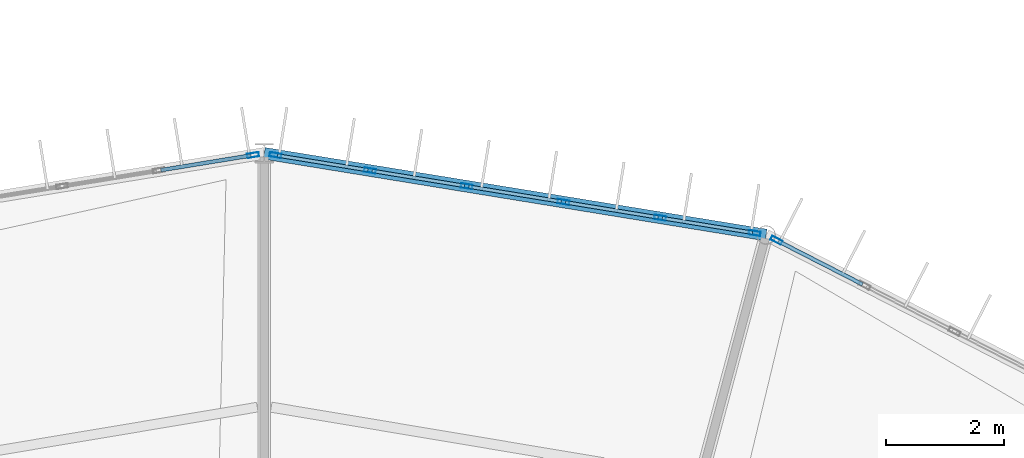
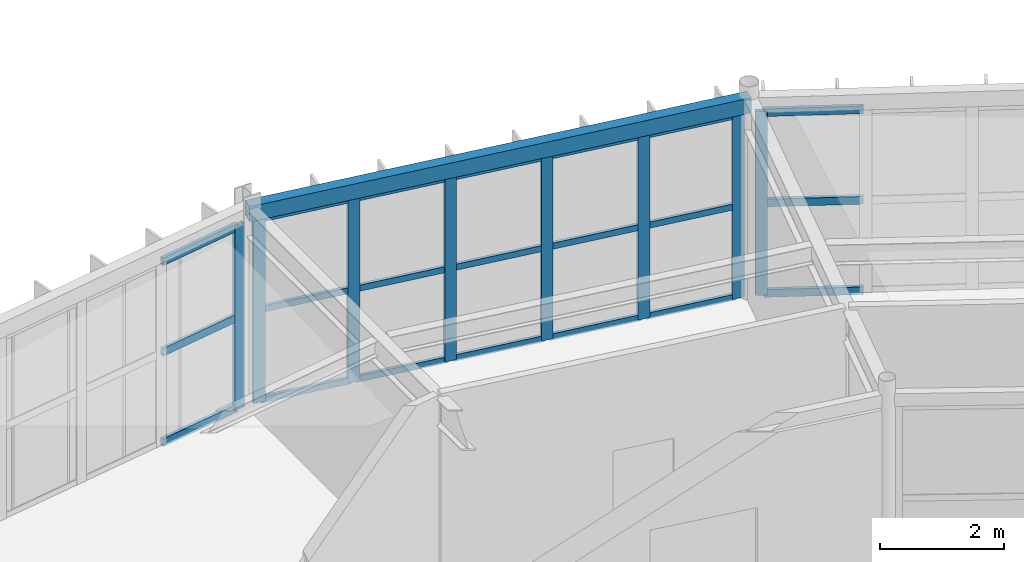
# One storey, part 88 of 147: 29 members, 1 beam, 3 elements without a shape of their own.
"""IFC4 building model written with IfcOpenShell, lengths in metres."""

from ifc_helpers import new_model, si_unit, direction, frame, origin, origin_2d, place, context, subcontext, project, spatial, hollow_rectangle, extrude, material, material_profile, profile_set, type_object, element, aggregate, save


model = new_model("IFC4")

# Units and contexts
model_context = context("Model", 3, precision=1e-05, world=origin(), true_north=direction((0.0, 1.0)))
body_context = subcontext(model_context, "Body", "Model", "MODEL_VIEW")
ifc_project = project(units=[si_unit("LENGTHUNIT", "METRE"), si_unit("AREAUNIT", "SQUARE_METRE"), si_unit("VOLUMEUNIT", "CUBIC_METRE"), si_unit("PLANEANGLEUNIT", "RADIAN"), si_unit("MASSUNIT", "GRAM", prefix="KILO")], contexts=[model_context])

# Site, building, storey
site_placement = place(None, origin())
site = spatial("IfcSite", under=ifc_project, at=site_placement, CompositionType="ELEMENT")
building_placement = place(site_placement, origin())
building = spatial("IfcBuilding", under=site, at=building_placement, Name="Karori Crest Natural Sciences Institute", CompositionType="ELEMENT")
storey_placement = place(building_placement, frame((0.0, 0.0, 9.10009765625)))
storey = spatial("IfcBuildingStorey", under=building, at=storey_placement, Name="L02", CompositionType="ELEMENT", Elevation=9.10009765625)

# Beam
ifc_material_1 = material(Name="Hollow structural steel AS/NZS 1163 Grade C350", Category="steel")
ifc_material_profile_1 = material_profile(ifc_material_1, hollow_rectangle(XDim=0.199951171875, YDim=0.300048828125, WallThickness=0.010009765625, at=origin_2d()), Name="RHS300x200x10")
ifc_profile_set_1 = profile_set([ifc_material_profile_1], Name="Hollow structural steel AS/NZS 1163 Grade C350")
beam_type = type_object("IfcBeamType", Name="BT-15", PredefinedType="SPANDREL", material=ifc_profile_set_1)
beam_placement = place(storey_placement, frame((74.94091796875, 89.309814453125, 3.789794921875), z_axis=(-0.987012055933, 0.160646199591, 0.0), x_axis=(-0.160646199591, -0.987012055933, 0.0)))
element("IfcBeam", 1, at=beam_placement, inside=storey, type_object=beam_type, Name="Beam B-0289", PredefinedType="SPANDREL", context=body_context, shape_type="SweptSolid", body=[
    extrude(hollow_rectangle(XDim=0.199951171875, YDim=0.300048828125, WallThickness=0.010009765625, at=origin_2d()), origin(), (0.0, 0.0, 1.0), 8.6533203125),
])

# Curtain wall, member
ifc_material_2 = material(Name="Anodised architectural aluminium 6063-T6", Category="aluminium")
curtain_wall_type_1 = type_object("IfcCurtainWallType", Name="CWT-05", PredefinedType="NOTDEFINED", material=ifc_material_2)
curtain_wall_1_placement = place(storey_placement, origin())
curtain_wall_1 = element("IfcCurtainWall", 2, at=curtain_wall_1_placement, inside=storey, type_object=curtain_wall_type_1, Name="Curtain wall CW-0071", PredefinedType="NOTDEFINED")
ifc_material_profile_2 = material_profile(ifc_material_2, hollow_rectangle(XDim=0.074951171875, YDim=0.199951171875, WallThickness=0.0048828125, at=origin_2d()), Name="CWM200x75x5")
ifc_profile_set_2 = profile_set([ifc_material_profile_2], Name="Anodised architectural aluminium 6063-T6")
member_type_1 = type_object("IfcMemberType", Name="CWM-02", PredefinedType="MULLION", material=ifc_profile_set_2)
member_1_placement = place(storey_placement, frame((75.11669921875, 89.2197265625, 0.0), z_axis=(0.0, 0.0, 1.0), x_axis=(0.455832988828, 0.890065326982, 0.0)))
member_1 = element("IfcMember", 3, at=member_1_placement, type_object=member_type_1, Name="CW-0071 mullion 1", PredefinedType="MULLION", context=body_context, shape_type="SweptSolid", body=[
    extrude(hollow_rectangle(XDim=0.074951171875, YDim=0.199951171875, WallThickness=0.0048828125, at=origin_2d()), origin(), (0.0, 0.0, 1.0), 3.625),
])

# Curtain wall, members
curtain_wall_type_2 = type_object("IfcCurtainWallType", Name="CWT-06", PredefinedType="NOTDEFINED", material=ifc_material_2)
curtain_wall_2_placement = place(storey_placement, origin())
curtain_wall_2 = element("IfcCurtainWall", 4, at=curtain_wall_2_placement, inside=storey, type_object=curtain_wall_type_2, Name="Curtain wall CW-0073", PredefinedType="NOTDEFINED")
member_2_placement = place(storey_placement, frame((66.590576171875, 90.6689453125, 0.0), z_axis=(0.0, 0.0, 1.0), x_axis=(0.160651962718, 0.987011117908, 0.0)))
member_2 = element("IfcMember", 5, at=member_2_placement, type_object=member_type_1, Name="CW-0073 mullion 1", PredefinedType="MULLION", context=body_context, shape_type="SweptSolid", body=[
    extrude(hollow_rectangle(XDim=0.074951171875, YDim=0.199951171875, WallThickness=0.0048828125, at=origin_2d()), origin(), (0.0, 0.0, 1.0), 3.625),
])
member_3_placement = place(storey_placement, frame((68.199462890625, 90.406982421875, 0.0), z_axis=(0.0, 0.0, 1.0), x_axis=(0.160651962718, 0.987011117908, 0.0)))
member_3 = element("IfcMember", 6, at=member_3_placement, type_object=member_type_1, Name="CW-0073 mullion 2", PredefinedType="MULLION", context=body_context, shape_type="SweptSolid", body=[
    extrude(hollow_rectangle(XDim=0.074951171875, YDim=0.199951171875, WallThickness=0.0048828125, at=origin_2d()), origin(), (0.0, 0.0, 1.0), 3.625),
])
member_4_placement = place(storey_placement, frame((69.845458984375, 90.13916015625, 0.0), z_axis=(0.0, 0.0, 1.0), x_axis=(0.160651962718, 0.987011117908, 0.0)))
member_4 = element("IfcMember", 7, at=member_4_placement, type_object=member_type_1, Name="CW-0073 mullion 3", PredefinedType="MULLION", context=body_context, shape_type="SweptSolid", body=[
    extrude(hollow_rectangle(XDim=0.074951171875, YDim=0.199951171875, WallThickness=0.0048828125, at=origin_2d()), origin(), (0.0, 0.0, 1.0), 3.625),
])
member_5_placement = place(storey_placement, frame((71.4912109375, 89.871337890625, 0.0), z_axis=(0.0, 0.0, 1.0), x_axis=(0.160651962718, 0.987011117908, 0.0)))
member_5 = element("IfcMember", 8, at=member_5_placement, type_object=member_type_1, Name="CW-0073 mullion 4", PredefinedType="MULLION", context=body_context, shape_type="SweptSolid", body=[
    extrude(hollow_rectangle(XDim=0.074951171875, YDim=0.199951171875, WallThickness=0.0048828125, at=origin_2d()), origin(), (0.0, 0.0, 1.0), 3.625),
])
member_6_placement = place(storey_placement, frame((73.13720703125, 89.603515625, 0.0), z_axis=(0.0, 0.0, 1.0), x_axis=(0.160651962718, 0.987011117908, 0.0)))
member_6 = element("IfcMember", 9, at=member_6_placement, type_object=member_type_1, Name="CW-0073 mullion 5", PredefinedType="MULLION", context=body_context, shape_type="SweptSolid", body=[
    extrude(hollow_rectangle(XDim=0.074951171875, YDim=0.199951171875, WallThickness=0.0048828125, at=origin_2d()), origin(), (0.0, 0.0, 1.0), 3.625),
])
member_7_placement = place(storey_placement, frame((74.74609375, 89.341552734375, 0.0), z_axis=(0.0, 0.0, 1.0), x_axis=(0.160651962718, 0.987011117908, 0.0)))
member_7 = element("IfcMember", 10, at=member_7_placement, type_object=member_type_1, Name="CW-0073 mullion 6", PredefinedType="MULLION", context=body_context, shape_type="SweptSolid", body=[
    extrude(hollow_rectangle(XDim=0.074951171875, YDim=0.199951171875, WallThickness=0.0048828125, at=origin_2d()), origin(), (0.0, 0.0, 1.0), 3.625),
])

# Curtain wall, member
curtain_wall_type_3 = type_object("IfcCurtainWallType", Name="CWT-07", PredefinedType="NOTDEFINED", material=ifc_material_2)
curtain_wall_3_placement = place(storey_placement, origin())
curtain_wall_3 = element("IfcCurtainWall", 11, at=curtain_wall_3_placement, inside=storey, type_object=curtain_wall_type_3, Name="Curtain wall CW-0074", PredefinedType="NOTDEFINED")
member_8_placement = place(storey_placement, frame((66.20947265625, 90.6689453125, 0.0), z_axis=(0.0, 0.0, 1.0), x_axis=(-0.1606565458, 0.987010371927, 0.0)))
member_8 = element("IfcMember", 12, at=member_8_placement, type_object=member_type_1, Name="CW-0074 mullion 6", PredefinedType="MULLION", context=body_context, shape_type="SweptSolid", body=[
    extrude(hollow_rectangle(XDim=0.074951171875, YDim=0.199951171875, WallThickness=0.0048828125, at=origin_2d()), origin(), (0.0, 0.0, 1.0), 3.625),
])

# Member
ifc_material_profile_3 = material_profile(ifc_material_2, hollow_rectangle(XDim=0.06005859375, YDim=0.1201171875, WallThickness=0.00390625, at=origin_2d()), Name="CWT120x60x4")
ifc_profile_set_3 = profile_set([ifc_material_profile_3], Name="Anodised architectural aluminium 6063-T6")
member_type_2 = type_object("IfcMemberType", Name="CWT-TR1", PredefinedType="USERDEFINED", material=ifc_profile_set_3)
member_9_placement = place(storey_placement, frame((66.62744140625, 90.662841796875, 0.02978515625), z_axis=(0.987018847507, -0.160604466518, 0.0), x_axis=(0.160604466518, 0.987018847507, 0.0)))
member_9 = element("IfcMember", 13, at=member_9_placement, type_object=member_type_2, Name="CW-0073 transom 1.1", ObjectType="TRANSOM", PredefinedType="USERDEFINED", context=body_context, shape_type="SweptSolid", body=[
    extrude(hollow_rectangle(XDim=0.06005859375, YDim=0.1201171875, WallThickness=0.00390625, at=origin_2d()), origin(), (0.0, 0.0, 1.0), 1.55517578125),
])

member_10_placement = place(storey_placement, frame((66.62744140625, 90.662841796875, 1.8125), z_axis=(0.987018847507, -0.160604466518, 0.0), x_axis=(0.160604466518, 0.987018847507, 0.0)))
member_10 = element("IfcMember", 14, at=member_10_placement, type_object=member_type_2, Name="CW-0073 transom 1.2", ObjectType="TRANSOM", PredefinedType="USERDEFINED", context=body_context, shape_type="SweptSolid", body=[
    extrude(hollow_rectangle(XDim=0.06005859375, YDim=0.1201171875, WallThickness=0.00390625, at=origin_2d()), origin(), (0.0, 0.0, 1.0), 1.55517578125),
])

member_11_placement = place(storey_placement, frame((66.62744140625, 90.662841796875, 3.594970703125), z_axis=(0.987018847507, -0.160604466518, 0.0), x_axis=(0.160604466518, 0.987018847507, 0.0)))
member_11 = element("IfcMember", 15, at=member_11_placement, type_object=member_type_2, Name="CW-0073 transom 1.3", ObjectType="TRANSOM", PredefinedType="USERDEFINED", context=body_context, shape_type="SweptSolid", body=[
    extrude(hollow_rectangle(XDim=0.06005859375, YDim=0.1201171875, WallThickness=0.00390625, at=origin_2d()), origin(), (0.0, 0.0, 1.0), 1.55517578125),
])

member_12_placement = place(storey_placement, frame((68.236328125, 90.401123046875, 0.02978515625), z_axis=(0.987012357452, -0.160644347043, 0.0), x_axis=(0.160644347043, 0.987012357452, 0.0)))
member_12 = element("IfcMember", 16, at=member_12_placement, type_object=member_type_2, Name="CW-0073 transom 2.1", ObjectType="TRANSOM", PredefinedType="USERDEFINED", context=body_context, shape_type="SweptSolid", body=[
    extrude(hollow_rectangle(XDim=0.06005859375, YDim=0.1201171875, WallThickness=0.00390625, at=origin_2d()), origin(), (0.0, 0.0, 1.0), 1.5927734375),
])

member_13_placement = place(storey_placement, frame((68.236328125, 90.401123046875, 1.8125), z_axis=(0.987012357452, -0.160644347043, 0.0), x_axis=(0.160644347043, 0.987012357452, 0.0)))
member_13 = element("IfcMember", 17, at=member_13_placement, type_object=member_type_2, Name="CW-0073 transom 2.2", ObjectType="TRANSOM", PredefinedType="USERDEFINED", context=body_context, shape_type="SweptSolid", body=[
    extrude(hollow_rectangle(XDim=0.06005859375, YDim=0.1201171875, WallThickness=0.00390625, at=origin_2d()), origin(), (0.0, 0.0, 1.0), 1.5927734375),
])

member_14_placement = place(storey_placement, frame((68.236328125, 90.401123046875, 3.594970703125), z_axis=(0.987012357452, -0.160644347043, 0.0), x_axis=(0.160644347043, 0.987012357452, 0.0)))
member_14 = element("IfcMember", 18, at=member_14_placement, type_object=member_type_2, Name="CW-0073 transom 2.3", ObjectType="TRANSOM", PredefinedType="USERDEFINED", context=body_context, shape_type="SweptSolid", body=[
    extrude(hollow_rectangle(XDim=0.06005859375, YDim=0.1201171875, WallThickness=0.00390625, at=origin_2d()), origin(), (0.0, 0.0, 1.0), 1.5927734375),
])

member_15_placement = place(storey_placement, frame((69.88232421875, 90.133056640625, 0.02978515625), z_axis=(0.987036651562, -0.160495010745, 0.0), x_axis=(0.160495010745, 0.987036651562, 0.0)))
member_15 = element("IfcMember", 19, at=member_15_placement, type_object=member_type_2, Name="CW-0073 transom 3.1", ObjectType="TRANSOM", PredefinedType="USERDEFINED", context=body_context, shape_type="SweptSolid", body=[
    extrude(hollow_rectangle(XDim=0.06005859375, YDim=0.1201171875, WallThickness=0.00390625, at=origin_2d()), origin(), (0.0, 0.0, 1.0), 1.5927734375),
])

member_16_placement = place(storey_placement, frame((69.88232421875, 90.133056640625, 1.8125), z_axis=(0.987036651562, -0.160495010745, 0.0), x_axis=(0.160495010745, 0.987036651562, 0.0)))
member_16 = element("IfcMember", 20, at=member_16_placement, type_object=member_type_2, Name="CW-0073 transom 3.2", ObjectType="TRANSOM", PredefinedType="USERDEFINED", context=body_context, shape_type="SweptSolid", body=[
    extrude(hollow_rectangle(XDim=0.06005859375, YDim=0.1201171875, WallThickness=0.00390625, at=origin_2d()), origin(), (0.0, 0.0, 1.0), 1.5927734375),
])

member_17_placement = place(storey_placement, frame((69.88232421875, 90.133056640625, 3.594970703125), z_axis=(0.987036651562, -0.160495010745, 0.0), x_axis=(0.160495010745, 0.987036651562, 0.0)))
member_17 = element("IfcMember", 21, at=member_17_placement, type_object=member_type_2, Name="CW-0073 transom 3.3", ObjectType="TRANSOM", PredefinedType="USERDEFINED", context=body_context, shape_type="SweptSolid", body=[
    extrude(hollow_rectangle(XDim=0.06005859375, YDim=0.1201171875, WallThickness=0.00390625, at=origin_2d()), origin(), (0.0, 0.0, 1.0), 1.5927734375),
])

member_18_placement = place(storey_placement, frame((71.5283203125, 89.865234375, 0.02978515625), z_axis=(0.987008400747, -0.16066865548, 0.0), x_axis=(0.16066865548, 0.987008400747, 0.0)))
member_18 = element("IfcMember", 22, at=member_18_placement, type_object=member_type_2, Name="CW-0073 transom 4.1", ObjectType="TRANSOM", PredefinedType="USERDEFINED", context=body_context, shape_type="SweptSolid", body=[
    extrude(hollow_rectangle(XDim=0.06005859375, YDim=0.1201171875, WallThickness=0.00390625, at=origin_2d()), origin(), (0.0, 0.0, 1.0), 1.592529296875),
])

member_19_placement = place(storey_placement, frame((71.5283203125, 89.865234375, 1.8125), z_axis=(0.987008400747, -0.16066865548, 0.0), x_axis=(0.16066865548, 0.987008400747, 0.0)))
member_19 = element("IfcMember", 23, at=member_19_placement, type_object=member_type_2, Name="CW-0073 transom 4.2", ObjectType="TRANSOM", PredefinedType="USERDEFINED", context=body_context, shape_type="SweptSolid", body=[
    extrude(hollow_rectangle(XDim=0.06005859375, YDim=0.1201171875, WallThickness=0.00390625, at=origin_2d()), origin(), (0.0, 0.0, 1.0), 1.592529296875),
])

member_20_placement = place(storey_placement, frame((71.5283203125, 89.865234375, 3.594970703125), z_axis=(0.987008400747, -0.16066865548, 0.0), x_axis=(0.16066865548, 0.987008400747, 0.0)))
member_20 = element("IfcMember", 24, at=member_20_placement, type_object=member_type_2, Name="CW-0073 transom 4.3", ObjectType="TRANSOM", PredefinedType="USERDEFINED", context=body_context, shape_type="SweptSolid", body=[
    extrude(hollow_rectangle(XDim=0.06005859375, YDim=0.1201171875, WallThickness=0.00390625, at=origin_2d()), origin(), (0.0, 0.0, 1.0), 1.592529296875),
])

member_21_placement = place(storey_placement, frame((73.174072265625, 89.597412109375, 0.02978515625), z_axis=(0.987018847507, -0.160604466518, 0.0), x_axis=(0.160604466518, 0.987018847507, 0.0)))
member_21 = element("IfcMember", 25, at=member_21_placement, type_object=member_type_2, Name="CW-0073 transom 5.1", ObjectType="TRANSOM", PredefinedType="USERDEFINED", context=body_context, shape_type="SweptSolid", body=[
    extrude(hollow_rectangle(XDim=0.06005859375, YDim=0.1201171875, WallThickness=0.00390625, at=origin_2d()), origin(), (0.0, 0.0, 1.0), 1.55517578125),
])

member_22_placement = place(storey_placement, frame((73.174072265625, 89.597412109375, 1.8125), z_axis=(0.987018847507, -0.160604466518, 0.0), x_axis=(0.160604466518, 0.987018847507, 0.0)))
member_22 = element("IfcMember", 26, at=member_22_placement, type_object=member_type_2, Name="CW-0073 transom 5.2", ObjectType="TRANSOM", PredefinedType="USERDEFINED", context=body_context, shape_type="SweptSolid", body=[
    extrude(hollow_rectangle(XDim=0.06005859375, YDim=0.1201171875, WallThickness=0.00390625, at=origin_2d()), origin(), (0.0, 0.0, 1.0), 1.55517578125),
])

member_23_placement = place(storey_placement, frame((73.174072265625, 89.597412109375, 3.594970703125), z_axis=(0.987018847507, -0.160604466518, 0.0), x_axis=(0.160604466518, 0.987018847507, 0.0)))
member_23 = element("IfcMember", 27, at=member_23_placement, type_object=member_type_2, Name="CW-0073 transom 5.3", ObjectType="TRANSOM", PredefinedType="USERDEFINED", context=body_context, shape_type="SweptSolid", body=[
    extrude(hollow_rectangle(XDim=0.06005859375, YDim=0.1201171875, WallThickness=0.00390625, at=origin_2d()), origin(), (0.0, 0.0, 1.0), 1.55517578125),
])

aggregate(curtain_wall_2, [member_2, member_3, member_4, member_5, member_6, member_7, member_9, member_10, member_11, member_12, member_13, member_14, member_15, member_16, member_17, member_18, member_19, member_20, member_21, member_22, member_23])

ifc_material_profile_4 = material_profile(ifc_material_2, hollow_rectangle(XDim=0.06494140625, YDim=0.14990234375, WallThickness=0.00390625, at=origin_2d()), Name="CWT150x65x4")
ifc_profile_set_4 = profile_set([ifc_material_profile_4], Name="Anodised architectural aluminium 6063-T6")
member_type_3 = type_object("IfcMemberType", Name="CWT-TR2", PredefinedType="USERDEFINED", material=ifc_profile_set_4)
member_24_placement = place(storey_placement, frame((75.150146484375, 89.20263671875, 0.032470703125), z_axis=(0.890106437129, -0.455752707706, 0.0), x_axis=(0.455752707706, 0.890106437129, 0.0)))
member_24 = element("IfcMember", 28, at=member_24_placement, type_object=member_type_3, Name="CW-0071 transom 1.1", ObjectType="TRANSOM", PredefinedType="USERDEFINED", context=body_context, shape_type="SweptSolid", body=[
    extrude(hollow_rectangle(XDim=0.06494140625, YDim=0.14990234375, WallThickness=0.00390625, at=origin_2d()), origin(), (0.0, 0.0, 1.0), 1.608642578125),
])

member_25_placement = place(storey_placement, frame((75.150146484375, 89.20263671875, 1.8125), z_axis=(0.890106437129, -0.455752707706, 0.0), x_axis=(0.455752707706, 0.890106437129, 0.0)))
member_25 = element("IfcMember", 29, at=member_25_placement, type_object=member_type_3, Name="CW-0071 transom 1.2", ObjectType="TRANSOM", PredefinedType="USERDEFINED", context=body_context, shape_type="SweptSolid", body=[
    extrude(hollow_rectangle(XDim=0.06494140625, YDim=0.14990234375, WallThickness=0.00390625, at=origin_2d()), origin(), (0.0, 0.0, 1.0), 1.608642578125),
])

member_26_placement = place(storey_placement, frame((75.150146484375, 89.20263671875, 3.59228515625), z_axis=(0.890106437129, -0.455752707706, 0.0), x_axis=(0.455752707706, 0.890106437129, 0.0)))
member_26 = element("IfcMember", 30, at=member_26_placement, type_object=member_type_3, Name="CW-0071 transom 1.3", ObjectType="TRANSOM", PredefinedType="USERDEFINED", context=body_context, shape_type="SweptSolid", body=[
    extrude(hollow_rectangle(XDim=0.06494140625, YDim=0.14990234375, WallThickness=0.00390625, at=origin_2d()), origin(), (0.0, 0.0, 1.0), 1.608642578125),
])

aggregate(curtain_wall_1, [member_1, member_24, member_25, member_26])

member_27_placement = place(storey_placement, frame((64.640625, 90.41357421875, 0.032470703125), z_axis=(0.987015971558, 0.160622140096, 0.0), x_axis=(-0.160622140096, 0.987015971558, 0.0)))
member_27 = element("IfcMember", 31, at=member_27_placement, type_object=member_type_3, Name="CW-0074 transom 5.1", ObjectType="TRANSOM", PredefinedType="USERDEFINED", context=body_context, shape_type="SweptSolid", body=[
    extrude(hollow_rectangle(XDim=0.06494140625, YDim=0.14990234375, WallThickness=0.00390625, at=origin_2d()), origin(), (0.0, 0.0, 1.0), 1.552001953125),
])

member_28_placement = place(storey_placement, frame((64.640625, 90.41357421875, 1.8125), z_axis=(0.987015971558, 0.160622140096, 0.0), x_axis=(-0.160622140096, 0.987015971558, 0.0)))
member_28 = element("IfcMember", 32, at=member_28_placement, type_object=member_type_3, Name="CW-0074 transom 5.2", ObjectType="TRANSOM", PredefinedType="USERDEFINED", context=body_context, shape_type="SweptSolid", body=[
    extrude(hollow_rectangle(XDim=0.06494140625, YDim=0.14990234375, WallThickness=0.00390625, at=origin_2d()), origin(), (0.0, 0.0, 1.0), 1.552001953125),
])

member_29_placement = place(storey_placement, frame((64.640625, 90.41357421875, 3.59228515625), z_axis=(0.987015971558, 0.160622140096, 0.0), x_axis=(-0.160622140096, 0.987015971558, 0.0)))
member_29 = element("IfcMember", 33, at=member_29_placement, type_object=member_type_3, Name="CW-0074 transom 5.3", ObjectType="TRANSOM", PredefinedType="USERDEFINED", context=body_context, shape_type="SweptSolid", body=[
    extrude(hollow_rectangle(XDim=0.06494140625, YDim=0.14990234375, WallThickness=0.00390625, at=origin_2d()), origin(), (0.0, 0.0, 1.0), 1.552001953125),
])

aggregate(curtain_wall_3, [member_8, member_27, member_28, member_29])

save(model, "model.ifc")
